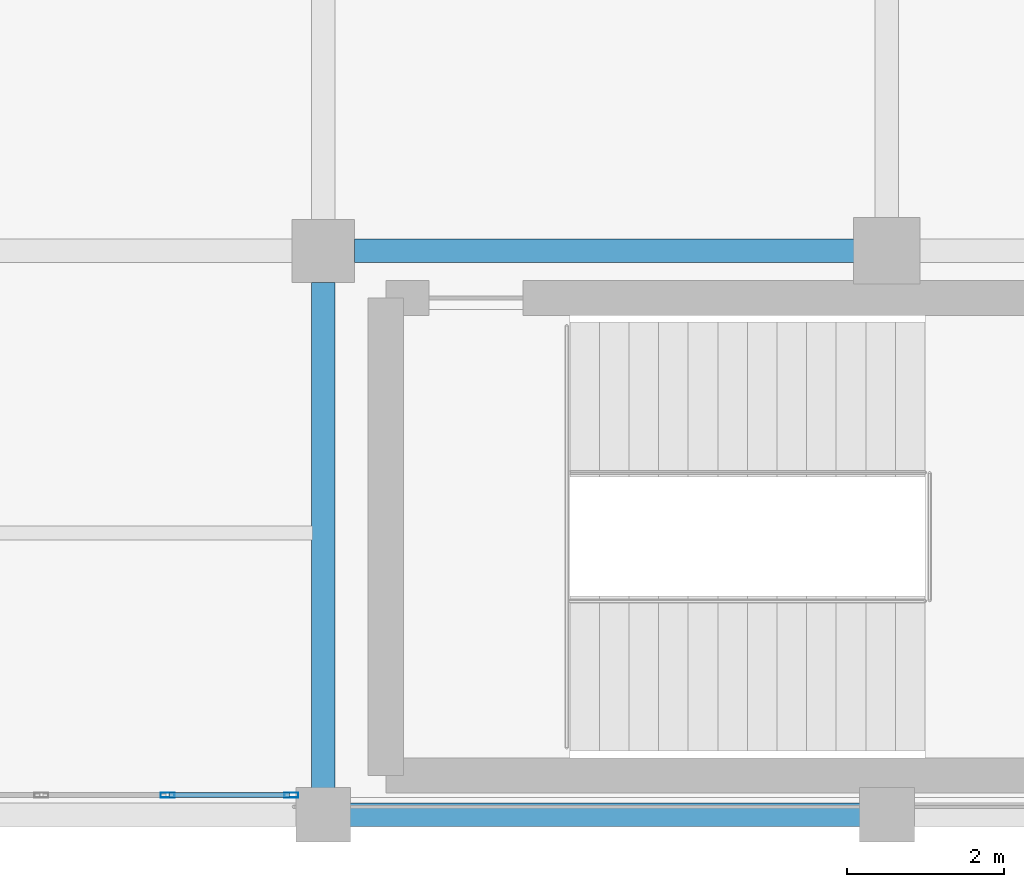
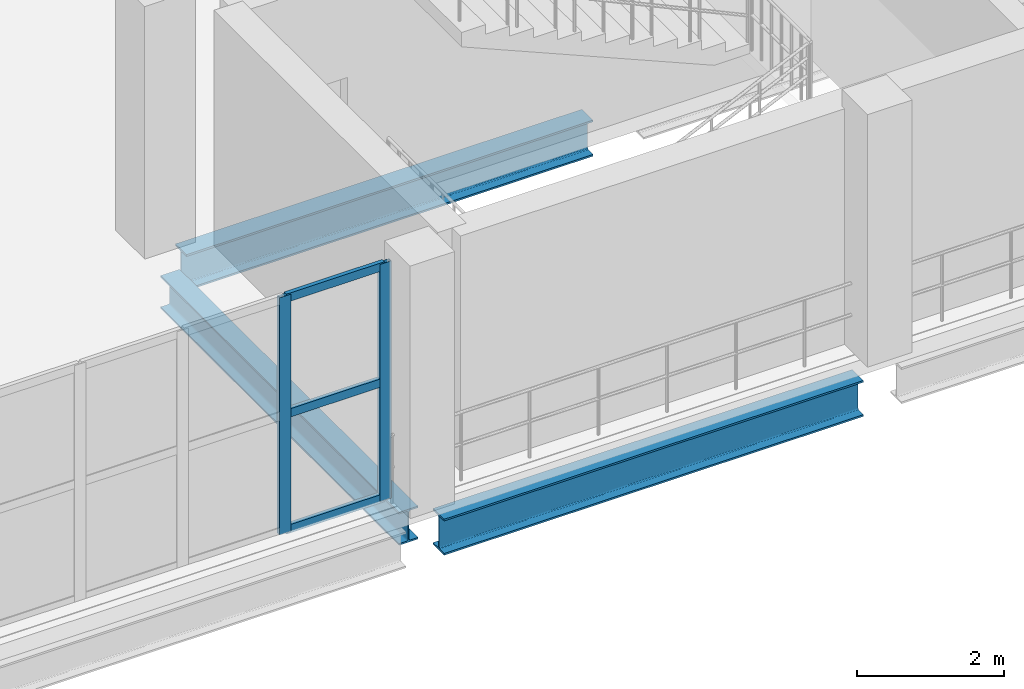
# One storey, part 17 of 153: 5 members, 3 beams, 1 element without a shape of its own.
"""IFC4 building model written with IfcOpenShell, lengths in metres."""

from ifc_helpers import new_model, si_unit, direction, frame, origin, origin_2d, place, context, subcontext, project, spatial, hollow_rectangle, i_section, extrude, material, material_profile, profile_set, type_object, element, aggregate, save


model = new_model("IFC4")

# Units and contexts
model_context = context("Model", 3, precision=1e-05, world=origin(), true_north=direction((0.0, 1.0)))
body_context = subcontext(model_context, "Body", "Model", "MODEL_VIEW")
ifc_project = project(units=[si_unit("LENGTHUNIT", "METRE"), si_unit("AREAUNIT", "SQUARE_METRE"), si_unit("VOLUMEUNIT", "CUBIC_METRE"), si_unit("PLANEANGLEUNIT", "RADIAN"), si_unit("MASSUNIT", "GRAM", prefix="KILO")], contexts=[model_context])

# Site, building, storey
site_placement = place(None, origin())
site = spatial("IfcSite", under=ifc_project, at=site_placement, CompositionType="ELEMENT")
building_placement = place(site_placement, origin())
building = spatial("IfcBuilding", under=site, at=building_placement, Name="Qandorah Velis Arena", CompositionType="ELEMENT")
storey_placement = place(building_placement, frame((0.0, 0.0, 5.39990234375)))
storey = spatial("IfcBuildingStorey", under=building, at=storey_placement, Name="L01", CompositionType="ELEMENT", Elevation=5.39990234375)

# Curtain wall, members
ifc_material_1 = material(Name="Solar-control low-E double glazing", Category="glass")
curtain_wall_type = type_object("IfcCurtainWallType", Name="ARC-CW-SYS10", PredefinedType="USERDEFINED", material=ifc_material_1)
curtain_wall_placement = place(storey_placement, origin())
curtain_wall = element("IfcCurtainWall", 1, at=curtain_wall_placement, inside=storey, type_object=curtain_wall_type, Name="Unitised curtain wall L01-058", ObjectType="UNITISED CURTAIN WALL", PredefinedType="USERDEFINED")
ifc_material_2 = material(Name="Champagne-bronze anodized aluminium 6063-T6", Category="aluminium")
ifc_material_profile_1 = material_profile(ifc_material_2, hollow_rectangle(XDim=0.06494140625, YDim=0.179931640625, WallThickness=0.00341796875, at=origin_2d()), Name="ALU MULLION 65x180")
ifc_profile_set_1 = profile_set([ifc_material_profile_1], Name="Champagne-bronze anodized aluminium 6063-T6")
member_type_1 = type_object("IfcMemberType", Name="ARC-CWM-180", PredefinedType="MULLION", material=ifc_profile_set_1)
member_1_placement = place(storey_placement, frame((48.41259765625, 0.25, -0.014892578125), z_axis=(0.0, 0.0, 1.0), x_axis=(0.0, 1.0, 0.0)))
member_1 = element("IfcMember", 2, at=member_1_placement, type_object=member_type_1, Name="CW10 mullion 4", PredefinedType="MULLION", context=body_context, shape_type="SweptSolid", body=[
    extrude(hollow_rectangle(XDim=0.06494140625, YDim=0.179931640625, WallThickness=0.00341796875, at=origin_2d()), origin(), (0.0, 0.0, 1.0), 3.949951171875),
])
member_2_placement = place(storey_placement, frame((49.992431640625, 0.25, -0.014892578125), z_axis=(0.0, 0.0, 1.0), x_axis=(0.0, 1.0, 0.0)))
member_2 = element("IfcMember", 3, at=member_2_placement, type_object=member_type_1, Name="CW10 mullion 5", PredefinedType="MULLION", context=body_context, shape_type="SweptSolid", body=[
    extrude(hollow_rectangle(XDim=0.06494140625, YDim=0.179931640625, WallThickness=0.00341796875, at=origin_2d()), origin(), (0.0, 0.0, 1.0), 3.949951171875),
])
ifc_material_profile_2 = material_profile(ifc_material_2, hollow_rectangle(XDim=0.06494140625, YDim=0.139892578125, WallThickness=0.0029296875, at=origin_2d()), Name="ALU TRANSOM 65x140")
ifc_profile_set_2 = profile_set([ifc_material_profile_2], Name="Champagne-bronze anodized aluminium 6063-T6")
member_type_2 = type_object("IfcMemberType", Name="ARC-CWT-140", PredefinedType="USERDEFINED", material=ifc_profile_set_2)
member_3_placement = place(storey_placement, frame((48.43310546875, 0.25, 0.03271484375), z_axis=(1.0, 0.0, 0.0), x_axis=(0.0, 1.0, 0.0)))
member_3 = element("IfcMember", 4, at=member_3_placement, type_object=member_type_2, Name="CW10 transom 4.1", ObjectType="TRANSOM", PredefinedType="USERDEFINED", context=body_context, shape_type="SweptSolid", body=[
    extrude(hollow_rectangle(XDim=0.06494140625, YDim=0.139892578125, WallThickness=0.0029296875, at=origin_2d()), origin(), (0.0, 0.0, 1.0), 1.538818359375),
])
member_4_placement = place(storey_placement, frame((48.43310546875, 0.25, 1.960205078125), z_axis=(1.0, 0.0, 0.0), x_axis=(0.0, 1.0, 0.0)))
member_4 = element("IfcMember", 5, at=member_4_placement, type_object=member_type_2, Name="CW10 transom 4.2", ObjectType="TRANSOM", PredefinedType="USERDEFINED", context=body_context, shape_type="SweptSolid", body=[
    extrude(hollow_rectangle(XDim=0.06494140625, YDim=0.139892578125, WallThickness=0.0029296875, at=origin_2d()), origin(), (0.0, 0.0, 1.0), 1.538818359375),
])
member_5_placement = place(storey_placement, frame((48.43310546875, 0.25, 3.8876953125), z_axis=(1.0, 0.0, 0.0), x_axis=(0.0, 1.0, 0.0)))
member_5 = element("IfcMember", 6, at=member_5_placement, type_object=member_type_2, Name="CW10 transom 4.3", ObjectType="TRANSOM", PredefinedType="USERDEFINED", context=body_context, shape_type="SweptSolid", body=[
    extrude(hollow_rectangle(XDim=0.06494140625, YDim=0.139892578125, WallThickness=0.0029296875, at=origin_2d()), origin(), (0.0, 0.0, 1.0), 1.538818359375),
])
aggregate(curtain_wall, [member_1, member_2, member_3, member_4, member_5])

# Beams
ifc_material_3 = material(Name="Steel S355", Category="steel")
ifc_material_profile_3 = material_profile(ifc_material_3, i_section(OverallWidth=0.300048828125, OverallDepth=0.550048828125, WebThickness=0.014892578125, FlangeThickness=0.029052734375, FilletRadius=0.027099609375, at=origin_2d()), Name="HEB 550")
ifc_profile_set_3 = profile_set([ifc_material_profile_3], Name="Steel S355")
beam_type_1 = type_object("IfcBeamType", Name="STR-BM-HEB550", PredefinedType="BEAM", material=ifc_profile_set_3)
beam_1_placement = place(storey_placement, frame((50.39990234375, 0.300048828125, -0.635009765625), z_axis=(0.0, 1.0, 0.0), x_axis=(-1.0, 0.0, 0.0)))
element("IfcBeam", 7, at=beam_1_placement, inside=storey, type_object=beam_type_1, Name="Primary floor girder L01 Y-312", PredefinedType="BEAM", context=body_context, shape_type="SweptSolid", body=[
    extrude(i_section(OverallWidth=0.300048828125, OverallDepth=0.550048828125, WebThickness=0.014892578125, FlangeThickness=0.029052734375, FilletRadius=0.027099609375, at=origin_2d()), origin(), (0.0, 0.0, 1.0), 6.5),
])
ifc_material_profile_4 = material_profile(ifc_material_3, i_section(OverallWidth=0.300048828125, OverallDepth=0.60009765625, WebThickness=0.015380859375, FlangeThickness=0.030029296875, FilletRadius=0.027099609375, at=origin_2d()), Name="HEB 600")
ifc_profile_set_4 = profile_set([ifc_material_profile_4], Name="Steel S355")
beam_type_2 = type_object("IfcBeamType", Name="STR-BM-HEB600", PredefinedType="BEAM", material=ifc_profile_set_4)
beam_2_placement = place(storey_placement, frame((50.699951171875, 0.0, -0.659912109375), z_axis=(1.0, 0.0, 0.0), x_axis=(0.0, 1.0, 0.0)))
element("IfcBeam", 8, at=beam_2_placement, inside=storey, type_object=beam_type_2, Name="Primary floor girder L01 X-008", PredefinedType="BEAM", context=body_context, shape_type="SweptSolid", body=[
    extrude(i_section(OverallWidth=0.300048828125, OverallDepth=0.60009765625, WebThickness=0.015380859375, FlangeThickness=0.030029296875, FilletRadius=0.027099609375, at=origin_2d()), origin(), (0.0, 0.0, 1.0), 6.60009765625),
])
beam_3_placement = place(storey_placement, frame((50.800048828125, 7.199951171875, -0.659912109375), z_axis=(1.0, 0.0, 0.0), x_axis=(0.0, 1.0, 0.0)))
element("IfcBeam", 9, at=beam_3_placement, inside=storey, type_object=beam_type_2, Name="Primary floor girder L01 X-024", PredefinedType="BEAM", context=body_context, shape_type="SweptSolid", body=[
    extrude(i_section(OverallWidth=0.300048828125, OverallDepth=0.60009765625, WebThickness=0.015380859375, FlangeThickness=0.030029296875, FilletRadius=0.027099609375, at=origin_2d()), origin(), (0.0, 0.0, 1.0), 6.39990234375),
])

save(model, "model.ifc")
